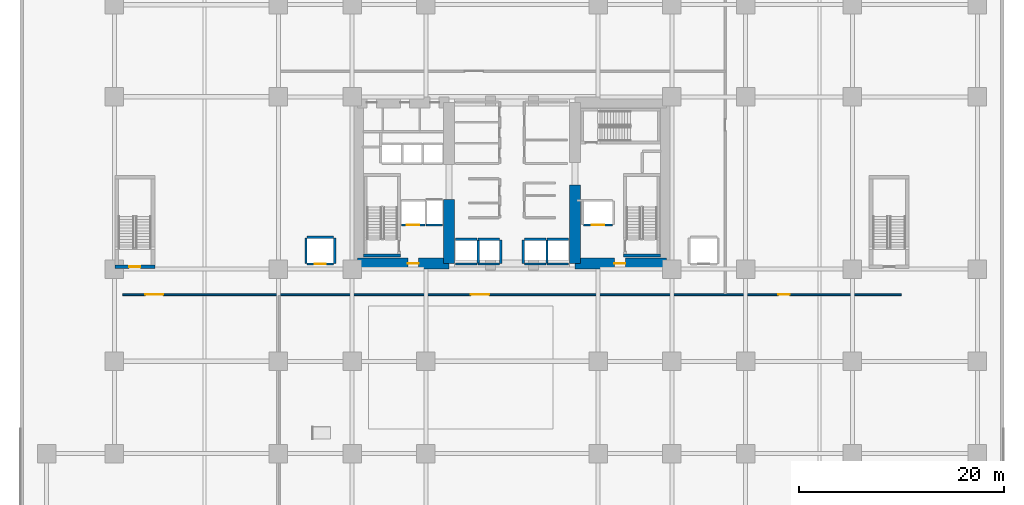
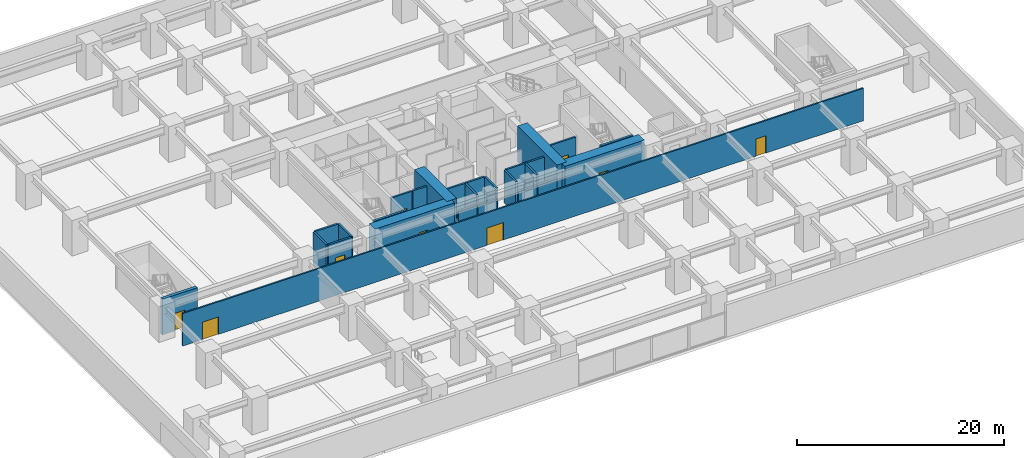
# One storey, part 10 of 22: 27 walls, 9 doors, 9 openings.
"""IFC4 building model written with IfcOpenShell, lengths in metres."""

from ifc_helpers import new_model, si_unit, direction, frame, frame_2d, origin, place, context, subcontext, project, spatial, rectangle, extrude, material, layer, layer_set, type_object, element, fill, save


model = new_model("IFC4")

# Units and contexts
model_context = context("Model", 3, precision=1e-05, world=origin(), true_north=direction((0.0, 1.0)))
body_context = subcontext(model_context, "Body", "Model", "MODEL_VIEW")
ifc_project = project(units=[si_unit("LENGTHUNIT", "METRE"), si_unit("AREAUNIT", "SQUARE_METRE"), si_unit("VOLUMEUNIT", "CUBIC_METRE"), si_unit("PLANEANGLEUNIT", "RADIAN"), si_unit("MASSUNIT", "GRAM", prefix="KILO")], contexts=[model_context])

# Site, building, storey
site_placement = place(None, origin())
site = spatial("IfcSite", under=ifc_project, at=site_placement, CompositionType="ELEMENT")
building_placement = place(site_placement, origin())
building = spatial("IfcBuilding", under=site, at=building_placement, Name="Kiyonajd Concourse Tower", CompositionType="ELEMENT")
storey_placement = place(building_placement, frame((0.0, 0.0, 12.89990234375)))
storey = spatial("IfcBuildingStorey", under=building, at=storey_placement, Name="L04", CompositionType="ELEMENT", Elevation=12.89990234375)

# Wall
ifc_material_1 = material(Name="Concrete C80/95", Category="concrete")
ifc_layer_1 = layer(ifc_material_1, 1.10009765625)
ifc_layer_set_1 = layer_set([ifc_layer_1], Name="Concrete C80/95")
wall_type_1 = type_object("IfcWallType", Name="WL-CORE-1100", PredefinedType="SHEAR", material=ifc_layer_set_1)
wall_1_placement = place(storey_placement, frame((41.85009765625, 28.14990234375, 0.0), z_axis=(0.0, 0.0, 1.0), x_axis=(0.0, 1.0, 0.0)))
element("IfcWall", 1, at=wall_1_placement, inside=storey, type_object=wall_type_1, Name="L04 West Core Inner South Shear Wall", PredefinedType="SHEAR", context=body_context, shape_type="SweptSolid", body=[
    extrude(rectangle(XDim=6.25, YDim=1.10009765625, at=frame_2d((3.125, 0.0))), origin(), (0.0, 0.0, 1.0), 4.2001953125),
])

# Wall, opening, door
wall_2_placement = place(storey_placement, frame((32.949951171875, 28.14990234375, 0.0), z_axis=(0.0, 0.0, 1.0), x_axis=(1.0, 0.0, 0.0)))
wall_2 = element("IfcWall", 2, at=wall_2_placement, inside=storey, type_object=wall_type_1, Name="L04 West Core South Shear Wall", PredefinedType="SHEAR", context=body_context, shape_type="SweptSolid", body=[
    extrude(rectangle(XDim=8.900146484375, YDim=1.10009765625, at=frame_2d((4.4501953125, 0.0))), origin(), (0.0, 0.0, 1.0), 4.2001953125),
])
opening_1_placement = place(wall_2_placement, frame((4.89990234375, 0.0, 0.0)))
opening_1 = element("IfcOpeningElement", 3, at=opening_1_placement, cuts=wall_2, Name="Opening DF5", PredefinedType="OPENING", context=body_context, shape_type="SweptSolid", body=[
    extrude(rectangle(XDim=1.050048828125, YDim=2.0400390625, at=frame_2d((0.52490234375, 1.02001953125))), frame((0.0, 0.56005859375, 0.0), z_axis=(0.0, -1.0, 0.0), x_axis=(1.0, 0.0, 0.0)), (0.0, 0.0, 1.0), 1.1201171875),
])
ifc_material_2 = material(Name="Brushed Stainless Steel Cab Assembly", Category="steel")
door_type_1 = type_object("IfcDoorType", Name="DR-FD45-1050", OperationType="NOTDEFINED", PredefinedType="DOOR", material=ifc_material_2)
door_1_placement = place(opening_1_placement, origin())
door_1 = element("IfcDoor", 4, at=door_1_placement, inside=storey, type_object=door_type_1, Name="L04 Firefighting Lift Lobby W Smoke Door", OperationType="SINGLE_SWING_LEFT", OverallHeight=2.0400390625, OverallWidth=1.050048828125, PredefinedType="DOOR", context=body_context, shape_type="SweptSolid", body=[
    extrude(rectangle(XDim=1.050048828125, YDim=2.0400390625, at=frame_2d((0.52490234375, 1.02001953125))), frame((0.0, 0.02490234375, 0.0), z_axis=(0.0, -1.0, 0.0), x_axis=(1.0, 0.0, 0.0)), (0.0, 0.0, 1.0), 0.050048828125),
])
fill(opening_1, door_1)

# Wall
wall_3_placement = place(storey_placement, frame((54.14990234375, 28.14990234375, 0.0), z_axis=(0.0, 0.0, 1.0), x_axis=(0.0, 1.0, 0.0)))
element("IfcWall", 5, at=wall_3_placement, inside=storey, type_object=wall_type_1, Name="L04 East Core Inner South Shear Wall", PredefinedType="SHEAR", context=body_context, shape_type="SweptSolid", body=[
    extrude(rectangle(XDim=7.650146484375, YDim=1.10009765625, at=frame_2d((3.8251953125, 0.0))), origin(), (0.0, 0.0, 1.0), 4.2001953125),
])

# Wall, opening, door
wall_4_placement = place(storey_placement, frame((54.14990234375, 28.14990234375, 0.0), z_axis=(0.0, 0.0, 1.0), x_axis=(1.0, 0.0, 0.0)))
wall_4 = element("IfcWall", 6, at=wall_4_placement, inside=storey, type_object=wall_type_1, Name="L04 East Core South Shear Wall", PredefinedType="SHEAR", context=body_context, shape_type="SweptSolid", body=[
    extrude(rectangle(XDim=8.900146484375, YDim=1.10009765625, at=frame_2d((4.4501953125, 0.0))), origin(), (0.0, 0.0, 1.0), 4.2001953125),
])
opening_2_placement = place(wall_4_placement, frame((3.85009765625, 0.0, 0.0)))
opening_2 = element("IfcOpeningElement", 7, at=opening_2_placement, cuts=wall_4, Name="Opening DF5", PredefinedType="OPENING", context=body_context, shape_type="SweptSolid", body=[
    extrude(rectangle(XDim=1.050048828125, YDim=2.0400390625, at=frame_2d((0.52490234375, 1.02001953125))), frame((0.0, 0.56005859375, 0.0), z_axis=(0.0, -1.0, 0.0), x_axis=(1.0, 0.0, 0.0)), (0.0, 0.0, 1.0), 1.1201171875),
])
door_2_placement = place(opening_2_placement, origin())
door_2 = element("IfcDoor", 8, at=door_2_placement, inside=storey, type_object=door_type_1, Name="L04 Firefighting Lift Lobby E Smoke Door", OperationType="SINGLE_SWING_RIGHT", OverallHeight=2.0400390625, OverallWidth=1.050048828125, PredefinedType="DOOR", context=body_context, shape_type="SweptSolid", body=[
    extrude(rectangle(XDim=1.050048828125, YDim=2.0400390625, at=frame_2d((0.52490234375, 1.02001953125))), frame((0.0, 0.02490234375, 0.0), z_axis=(0.0, -1.0, 0.0), x_axis=(1.0, 0.0, 0.0)), (0.0, 0.0, 1.0), 0.050048828125),
])
fill(opening_2, door_2)

ifc_material_3 = material(Name="Gypsum Board on Cold-Formed Steel Stud", Category="steel")
ifc_layer_2 = layer(ifc_material_3, 0.2099609375)
ifc_layer_set_2 = layer_set([ifc_layer_2], Name="Gypsum Board on Cold-Formed Steel Stud")
wall_type_2 = type_object("IfcWallType", Name="WL-SHAFT-210", PredefinedType="PARTITIONING", material=ifc_layer_set_2)
wall_5_placement = place(storey_placement, frame((37.199951171875, 31.89990234375, 0.0), z_axis=(0.0, 0.0, 1.0), x_axis=(1.0, 0.0, 0.0)))
wall_5 = element("IfcWall", 9, at=wall_5_placement, inside=storey, type_object=wall_type_2, Name="L04 Shaft Enclosure Wall", PredefinedType="PARTITIONING", context=body_context, shape_type="SweptSolid", body=[
    extrude(rectangle(XDim=2.300048828125, YDim=0.2099609375, at=frame_2d((1.14990234375, 0.0))), origin(), (0.0, 0.0, 1.0), 3.840087890625),
])
opening_3_placement = place(wall_5_placement, frame((0.550048828125, 0.0, 0.0)))
opening_3 = element("IfcOpeningElement", 10, at=opening_3_placement, cuts=wall_5, Name="Opening LD2", PredefinedType="OPENING", context=body_context, shape_type="SweptSolid", body=[
    extrude(rectangle(XDim=1.199951171875, YDim=2.0400390625, at=frame_2d((0.60009765625, 1.02001953125))), frame((0.0, 0.114990234375, 0.0), z_axis=(0.0, -1.0, 0.0), x_axis=(1.0, 0.0, 0.0)), (0.0, 0.0, 1.0), 0.22998046875),
])
door_type_2 = type_object("IfcDoorType", Name="DR-LD-1200", OperationType="DOUBLE_DOOR_SLIDING", PredefinedType="DOOR", material=ifc_material_2)
door_3_placement = place(opening_3_placement, origin())
door_3 = element("IfcDoor", 11, at=door_3_placement, inside=storey, type_object=door_type_2, Name="L04 Lift FFL1 Sliding Landing Door", OperationType="DOUBLE_DOOR_SLIDING", OverallHeight=2.0400390625, OverallWidth=1.199951171875, PredefinedType="DOOR", context=body_context, shape_type="SweptSolid", body=[
    extrude(rectangle(XDim=1.199951171875, YDim=2.0400390625, at=frame_2d((0.60009765625, 1.02001953125))), frame((0.0, 0.02490234375, 0.0), z_axis=(0.0, -1.0, 0.0), x_axis=(1.0, 0.0, 0.0)), (0.0, 0.0, 1.0), 0.050048828125),
])
fill(opening_3, door_3)

wall_6_placement = place(storey_placement, frame((55.0, 31.89990234375, 0.0), z_axis=(0.0, 0.0, 1.0), x_axis=(1.0, 0.0, 0.0)))
wall_6 = element("IfcWall", 12, at=wall_6_placement, inside=storey, type_object=wall_type_2, Name="L04 Shaft Enclosure Wall", PredefinedType="PARTITIONING", context=body_context, shape_type="SweptSolid", body=[
    extrude(rectangle(XDim=2.800048828125, YDim=0.2099609375, at=frame_2d((1.39990234375, 0.0))), origin(), (0.0, 0.0, 1.0), 3.840087890625),
])
opening_4_placement = place(wall_6_placement, frame((0.800048828125, 0.0, 0.0)))
opening_4 = element("IfcOpeningElement", 13, at=opening_4_placement, cuts=wall_6, Name="Opening LD2", PredefinedType="OPENING", context=body_context, shape_type="SweptSolid", body=[
    extrude(rectangle(XDim=1.199951171875, YDim=2.0400390625, at=frame_2d((0.60009765625, 1.02001953125))), frame((0.0, 0.114990234375, 0.0), z_axis=(0.0, -1.0, 0.0), x_axis=(1.0, 0.0, 0.0)), (0.0, 0.0, 1.0), 0.22998046875),
])
door_4_placement = place(opening_4_placement, origin())
door_4 = element("IfcDoor", 14, at=door_4_placement, inside=storey, type_object=door_type_2, Name="L04 Lift FFL2 Sliding Landing Door", OperationType="DOUBLE_DOOR_SLIDING", OverallHeight=2.0400390625, OverallWidth=1.199951171875, PredefinedType="DOOR", context=body_context, shape_type="SweptSolid", body=[
    extrude(rectangle(XDim=1.199951171875, YDim=2.0400390625, at=frame_2d((0.60009765625, 1.02001953125))), frame((0.0, 0.02490234375, 0.0), z_axis=(0.0, -1.0, 0.0), x_axis=(1.0, 0.0, 0.0)), (0.0, 0.0, 1.0), 0.050048828125),
])
fill(opening_4, door_4)

# Walls
wall_7_placement = place(storey_placement, frame((39.60009765625, 31.89990234375, 0.0), z_axis=(0.0, 0.0, 1.0), x_axis=(1.0, 0.0, 0.0)))
element("IfcWall", 15, at=wall_7_placement, inside=storey, type_object=wall_type_2, Name="L04 Shaft Enclosure Wall", PredefinedType="PARTITIONING", context=body_context, shape_type="SweptSolid", body=[
    extrude(rectangle(XDim=1.599853515625, YDim=0.2099609375, at=frame_2d((0.7998046875, 0.0))), origin(), (0.0, 0.0, 1.0), 3.840087890625),
])
wall_8_placement = place(storey_placement, frame((42.5, 30.5, 0.0), z_axis=(0.0, 0.0, 1.0), x_axis=(1.0, 0.0, 0.0)))
element("IfcWall", 16, at=wall_8_placement, inside=storey, type_object=wall_type_2, Name="L04 Shaft Enclosure Wall", PredefinedType="PARTITIONING", context=body_context, shape_type="SweptSolid", body=[
    extrude(rectangle(XDim=2.10009765625, YDim=0.2099609375, at=frame_2d((1.050048828125, 0.0))), origin(), (0.0, 0.0, 1.0), 3.840087890625),
])
wall_9_placement = place(storey_placement, frame((42.5, 28.10009765625, 0.0), z_axis=(0.0, 0.0, 1.0), x_axis=(1.0, 0.0, 0.0)))
element("IfcWall", 17, at=wall_9_placement, inside=storey, type_object=wall_type_2, Name="L04 Shaft Enclosure Wall", PredefinedType="PARTITIONING", context=body_context, shape_type="SweptSolid", body=[
    extrude(rectangle(XDim=2.10009765625, YDim=0.2099609375, at=frame_2d((1.050048828125, 0.0))), origin(), (0.0, 0.0, 1.0), 2.72509765625),
])
wall_10_placement = place(storey_placement, frame((44.699951171875, 28.159912109375, 0.0), z_axis=(0.0, 0.0, 1.0), x_axis=(0.0, 1.0, 0.0)))
element("IfcWall", 18, at=wall_10_placement, inside=storey, type_object=wall_type_2, Name="L04 Shaft Enclosure Wall", PredefinedType="PARTITIONING", context=body_context, shape_type="SweptSolid", body=[
    extrude(rectangle(XDim=2.280029296875, YDim=0.2099609375, at=frame_2d((1.14013671875, 0.0))), origin(), (0.0, 0.0, 1.0), 3.840087890625),
])
wall_11_placement = place(storey_placement, frame((44.699951171875, 30.5, 0.0), z_axis=(0.0, 0.0, 1.0), x_axis=(1.0, 0.0, 0.0)))
element("IfcWall", 19, at=wall_11_placement, inside=storey, type_object=wall_type_2, Name="L04 Shaft Enclosure Wall", PredefinedType="PARTITIONING", context=body_context, shape_type="SweptSolid", body=[
    extrude(rectangle(XDim=2.10009765625, YDim=0.2099609375, at=frame_2d((1.050048828125, 0.0))), origin(), (0.0, 0.0, 1.0), 3.840087890625),
])
wall_12_placement = place(storey_placement, frame((44.699951171875, 28.10009765625, 0.0), z_axis=(0.0, 0.0, 1.0), x_axis=(1.0, 0.0, 0.0)))
element("IfcWall", 20, at=wall_12_placement, inside=storey, type_object=wall_type_2, Name="L04 Shaft Enclosure Wall", PredefinedType="PARTITIONING", context=body_context, shape_type="SweptSolid", body=[
    extrude(rectangle(XDim=2.10009765625, YDim=0.2099609375, at=frame_2d((1.050048828125, 0.0))), origin(), (0.0, 0.0, 1.0), 2.72509765625),
])
wall_13_placement = place(storey_placement, frame((46.89990234375, 28.159912109375, 0.0), z_axis=(0.0, 0.0, 1.0), x_axis=(0.0, 1.0, 0.0)))
element("IfcWall", 21, at=wall_13_placement, inside=storey, type_object=wall_type_2, Name="L04 Shaft Enclosure Wall", PredefinedType="PARTITIONING", context=body_context, shape_type="SweptSolid", body=[
    extrude(rectangle(XDim=2.280029296875, YDim=0.2099609375, at=frame_2d((1.14013671875, 0.0))), origin(), (0.0, 0.0, 1.0), 3.840087890625),
])
wall_14_placement = place(storey_placement, frame((49.199951171875, 30.5, 0.0), z_axis=(0.0, 0.0, 1.0), x_axis=(1.0, 0.0, 0.0)))
element("IfcWall", 22, at=wall_14_placement, inside=storey, type_object=wall_type_2, Name="L04 Shaft Enclosure Wall", PredefinedType="PARTITIONING", context=body_context, shape_type="SweptSolid", body=[
    extrude(rectangle(XDim=2.10009765625, YDim=0.2099609375, at=frame_2d((1.050048828125, 0.0))), origin(), (0.0, 0.0, 1.0), 3.840087890625),
])
wall_15_placement = place(storey_placement, frame((49.199951171875, 28.10009765625, 0.0), z_axis=(0.0, 0.0, 1.0), x_axis=(1.0, 0.0, 0.0)))
element("IfcWall", 23, at=wall_15_placement, inside=storey, type_object=wall_type_2, Name="L04 Shaft Enclosure Wall", PredefinedType="PARTITIONING", context=body_context, shape_type="SweptSolid", body=[
    extrude(rectangle(XDim=2.10009765625, YDim=0.2099609375, at=frame_2d((1.050048828125, 0.0))), origin(), (0.0, 0.0, 1.0), 2.72509765625),
])
for number, where, z_axis, x_axis, name in (
    (24, (49.10009765625, 28.159912109375, 0.0), (0.0, 0.0, 1.0), (0.0, 1.0, 0.0), "L04 Shaft Enclosure Wall"),
    (25, (51.39990234375, 28.159912109375, 0.0), (0.0, 0.0, 1.0), (0.0, 1.0, 0.0), "L04 Shaft Enclosure Wall"),
):
    element("IfcWall", number, at=place(storey_placement, frame(where, z_axis=z_axis, x_axis=x_axis)), inside=storey, type_object=wall_type_2, Name=name, PredefinedType="PARTITIONING", context=body_context, shape_type="SweptSolid", body=[
        extrude(rectangle(XDim=2.280029296875, YDim=0.2099609375, at=frame_2d((1.14013671875, 0.0))), origin(), (0.0, 0.0, 1.0), 3.840087890625),
    ])
wall_16_placement = place(storey_placement, frame((51.39990234375, 30.5, 0.0), z_axis=(0.0, 0.0, 1.0), x_axis=(1.0, 0.0, 0.0)))
element("IfcWall", 26, at=wall_16_placement, inside=storey, type_object=wall_type_2, Name="L04 Shaft Enclosure Wall", PredefinedType="PARTITIONING", context=body_context, shape_type="SweptSolid", body=[
    extrude(rectangle(XDim=2.10009765625, YDim=0.2099609375, at=frame_2d((1.050048828125, 0.0))), origin(), (0.0, 0.0, 1.0), 3.840087890625),
])
wall_17_placement = place(storey_placement, frame((51.39990234375, 28.10009765625, 0.0), z_axis=(0.0, 0.0, 1.0), x_axis=(1.0, 0.0, 0.0)))
element("IfcWall", 27, at=wall_17_placement, inside=storey, type_object=wall_type_2, Name="L04 Shaft Enclosure Wall", PredefinedType="PARTITIONING", context=body_context, shape_type="SweptSolid", body=[
    extrude(rectangle(XDim=2.10009765625, YDim=0.2099609375, at=frame_2d((1.050048828125, 0.0))), origin(), (0.0, 0.0, 1.0), 2.72509765625),
])

# Wall, opening, door
wall_18_placement = place(storey_placement, frame((28.0, 28.10009765625, 0.0), z_axis=(0.0, 0.0, 1.0), x_axis=(1.0, 0.0, 0.0)))
wall_18 = element("IfcWall", 28, at=wall_18_placement, inside=storey, type_object=wall_type_2, Name="L04 Shaft Enclosure Wall", PredefinedType="PARTITIONING", context=body_context, shape_type="SweptSolid", body=[
    extrude(rectangle(XDim=2.60009765625, YDim=0.2099609375, at=frame_2d((1.300048828125, 0.0))), origin(), (0.0, 0.0, 1.0), 3.840087890625),
])
opening_5_placement = place(wall_18_placement, frame((0.75, 0.0, 0.0)))
opening_5 = element("IfcOpeningElement", 29, at=opening_5_placement, cuts=wall_18, Name="Opening LD1", PredefinedType="OPENING", context=body_context, shape_type="SweptSolid", body=[
    extrude(rectangle(XDim=1.10009765625, YDim=2.0400390625, at=frame_2d((0.550048828125, 1.02001953125))), frame((0.0, 0.114990234375, 0.0), z_axis=(0.0, -1.0, 0.0), x_axis=(1.0, 0.0, 0.0)), (0.0, 0.0, 1.0), 0.22998046875),
])
door_type_3 = type_object("IfcDoorType", Name="DR-LD-1100", OperationType="DOUBLE_DOOR_SLIDING", PredefinedType="DOOR", material=ifc_material_2)
door_5_placement = place(opening_5_placement, origin())
door_5 = element("IfcDoor", 30, at=door_5_placement, inside=storey, type_object=door_type_3, Name="L04 Lift PD1 Sliding Landing Door", OperationType="DOUBLE_DOOR_SLIDING", OverallHeight=2.0400390625, OverallWidth=1.10009765625, PredefinedType="DOOR", context=body_context, shape_type="SweptSolid", body=[
    extrude(rectangle(XDim=1.10009765625, YDim=2.0400390625, at=frame_2d((0.550048828125, 1.02001953125))), frame((0.0, 0.02490234375, 0.0), z_axis=(0.0, -1.0, 0.0), x_axis=(1.0, 0.0, 0.0)), (0.0, 0.0, 1.0), 0.050048828125),
])
fill(opening_5, door_5)

# Walls
wall_19_placement = place(storey_placement, frame((28.0, 30.699951171875, 0.0), z_axis=(0.0, 0.0, 1.0), x_axis=(1.0, 0.0, 0.0)))
element("IfcWall", 31, at=wall_19_placement, inside=storey, type_object=wall_type_2, Name="L04 Shaft Enclosure Wall", PredefinedType="PARTITIONING", context=body_context, shape_type="SweptSolid", body=[
    extrude(rectangle(XDim=2.60009765625, YDim=0.2099609375, at=frame_2d((1.300048828125, 0.0))), origin(), (0.0, 0.0, 1.0), 3.840087890625),
])
for number, where, z_axis, x_axis, name in (
    (32, (27.89990234375, 28.159912109375, 0.0), (0.0, 0.0, 1.0), (0.0, 1.0, 0.0), "L04 Shaft Enclosure Wall"),
    (33, (30.699951171875, 28.159912109375, 0.0), (0.0, 0.0, 1.0), (0.0, 1.0, 0.0), "L04 Shaft Enclosure Wall"),
):
    element("IfcWall", number, at=place(storey_placement, frame(where, z_axis=z_axis, x_axis=x_axis)), inside=storey, type_object=wall_type_2, Name=name, PredefinedType="PARTITIONING", context=body_context, shape_type="SweptSolid", body=[
        extrude(rectangle(XDim=2.47998046875, YDim=0.2099609375, at=frame_2d((1.239990234375, 0.0))), origin(), (0.0, 0.0, 1.0), 3.840087890625),
    ])

# Wall, openings, doors
ifc_layer_3 = layer(ifc_material_3, 0.169921875)
ifc_layer_set_3 = layer_set([ifc_layer_3], Name="Gypsum Board on Cold-Formed Steel Stud")
wall_type_3 = type_object("IfcWallType", Name="WL-SMK-170", PredefinedType="PARTITIONING", material=ifc_layer_set_3)
wall_20_placement = place(storey_placement, frame((10.0, 25.10009765625, 0.0), z_axis=(0.0, 0.0, 1.0), x_axis=(1.0, 0.0, 0.0)))
wall_20 = element("IfcWall", 34, at=wall_20_placement, inside=storey, type_object=wall_type_3, Name="L04 Interior Partition Wall", PredefinedType="PARTITIONING", context=body_context, shape_type="SweptSolid", body=[
    extrude(rectangle(XDim=76.0, YDim=0.169921875, at=frame_2d((38.0, 0.0))), origin(), (0.0, 0.0, 1.0), 3.840087890625),
])
opening_6_placement = place(wall_20_placement, frame((2.199951171875, 0.0, 0.0)))
opening_6 = element("IfcOpeningElement", 35, at=opening_6_placement, cuts=wall_20, Name="Opening DI3", PredefinedType="OPENING", context=body_context, shape_type="SweptSolid", body=[
    extrude(rectangle(XDim=1.800048828125, YDim=2.06005859375, at=frame_2d((0.89990234375, 1.030029296875))), frame((0.0, 0.094970703125, 0.0), z_axis=(0.0, -1.0, 0.0), x_axis=(1.0, 0.0, 0.0)), (0.0, 0.0, 1.0), 0.18994140625),
])
opening_7_placement = place(wall_20_placement, frame((34.0, 0.0, 0.0)))
opening_7 = element("IfcOpeningElement", 36, at=opening_7_placement, cuts=wall_20, Name="Opening DI3", PredefinedType="OPENING", context=body_context, shape_type="SweptSolid", body=[
    extrude(rectangle(XDim=1.800048828125, YDim=2.06005859375, at=frame_2d((0.89990234375, 1.030029296875))), frame((0.0, 0.094970703125, 0.0), z_axis=(0.0, -1.0, 0.0), x_axis=(1.0, 0.0, 0.0)), (0.0, 0.0, 1.0), 0.18994140625),
])
opening_8_placement = place(wall_20_placement, frame((64.0, 0.0, 0.0)))
opening_8 = element("IfcOpeningElement", 37, at=opening_8_placement, cuts=wall_20, Name="Opening DF2", PredefinedType="OPENING", context=body_context, shape_type="SweptSolid", body=[
    extrude(rectangle(XDim=1.10009765625, YDim=2.050048828125, at=frame_2d((0.550048828125, 1.02490234375))), frame((0.0, 0.094970703125, 0.0), z_axis=(0.0, -1.0, 0.0), x_axis=(1.0, 0.0, 0.0)), (0.0, 0.0, 1.0), 0.18994140625),
])
door_type_4 = type_object("IfcDoorType", Name="DR-FD90-1100", OperationType="NOTDEFINED", PredefinedType="DOOR", material=ifc_material_2)
door_6_placement = place(opening_8_placement, origin())
door_6 = element("IfcDoor", 38, at=door_6_placement, inside=storey, type_object=door_type_4, Name="L04 Interior Door", OperationType="SINGLE_SWING_LEFT", OverallHeight=2.050048828125, OverallWidth=1.10009765625, PredefinedType="DOOR", context=body_context, shape_type="SweptSolid", body=[
    extrude(rectangle(XDim=1.10009765625, YDim=2.050048828125, at=frame_2d((0.550048828125, 1.02490234375))), frame((0.0, 0.02490234375, 0.0), z_axis=(0.0, -1.0, 0.0), x_axis=(1.0, 0.0, 0.0)), (0.0, 0.0, 1.0), 0.050048828125),
])
fill(opening_8, door_6)
door_type_5 = type_object("IfcDoorType", Name="DR-PAIR-1800", OperationType="DOUBLE_DOOR_SINGLE_SWING", PredefinedType="DOOR", material=ifc_material_2)
door_7_placement = place(opening_6_placement, origin())
door_7 = element("IfcDoor", 39, at=door_7_placement, inside=storey, type_object=door_type_5, Name="L04 Interior Door", OperationType="DOUBLE_DOOR_SINGLE_SWING", OverallHeight=2.06005859375, OverallWidth=1.800048828125, PredefinedType="DOOR", context=body_context, shape_type="SweptSolid", body=[
    extrude(rectangle(XDim=1.800048828125, YDim=2.06005859375, at=frame_2d((0.89990234375, 1.030029296875))), frame((0.0, 0.02490234375, 0.0), z_axis=(0.0, -1.0, 0.0), x_axis=(1.0, 0.0, 0.0)), (0.0, 0.0, 1.0), 0.050048828125),
])
fill(opening_6, door_7)
door_8_placement = place(opening_7_placement, origin())
door_8 = element("IfcDoor", 40, at=door_8_placement, inside=storey, type_object=door_type_5, Name="L04 Interior Door", OperationType="DOUBLE_DOOR_SINGLE_SWING", OverallHeight=2.06005859375, OverallWidth=1.800048828125, PredefinedType="DOOR", context=body_context, shape_type="SweptSolid", body=[
    extrude(rectangle(XDim=1.800048828125, YDim=2.06005859375, at=frame_2d((0.89990234375, 1.030029296875))), frame((0.0, 0.02490234375, 0.0), z_axis=(0.0, -1.0, 0.0), x_axis=(1.0, 0.0, 0.0)), (0.0, 0.0, 1.0), 0.050048828125),
])
fill(opening_7, door_8)

# Walls
ifc_material_4 = material(Name="Concrete C50/60", Category="concrete")
ifc_layer_4 = layer(ifc_material_4, 0.260009765625)
ifc_layer_set_4 = layer_set([ifc_layer_4], Name="Concrete C50/60")
wall_type_4 = type_object("IfcWallType", Name="WL-STAIR-260", PredefinedType="SHEAR", material=ifc_layer_set_4)
for number, where, z_axis, x_axis, name in (
    (41, (33.5, 28.919921875, 0.0), (0.0, 0.0, 1.0), (1.0, 0.0, 0.0), "L04 Stair ST1 Structural South Wall"),
    (42, (58.889892578125, 28.919921875, 0.0), (0.0, 0.0, 1.0), (1.0, 0.0, 0.0), "L04 Stair ST2 Structural South Wall"),
):
    element("IfcWall", number, at=place(storey_placement, frame(where, z_axis=z_axis, x_axis=x_axis)), inside=storey, type_object=wall_type_4, Name=name, PredefinedType="SHEAR", context=body_context, shape_type="SweptSolid", body=[
        extrude(rectangle(XDim=3.610107421875, YDim=0.260009765625, at=frame_2d((1.80517578125, 0.0))), origin(), (0.0, 0.0, 1.0), 4.2001953125),
    ])

# Wall, opening, door
ifc_layer_5 = layer(ifc_material_4, 0.35009765625)
ifc_layer_set_5 = layer_set([ifc_layer_5], Name="Concrete C50/60")
wall_type_5 = type_object("IfcWallType", Name="WL-STAIR-350", PredefinedType="SHEAR", material=ifc_layer_set_5)
wall_21_placement = place(storey_placement, frame((9.25, 27.824951171875, 0.0), z_axis=(0.0, 0.0, 1.0), x_axis=(1.0, 0.0, 0.0)))
wall_21 = element("IfcWall", 43, at=wall_21_placement, inside=storey, type_object=wall_type_5, Name="L04 Stair ST4 Structural South Wall", PredefinedType="SHEAR", context=body_context, shape_type="SweptSolid", body=[
    extrude(rectangle(XDim=3.89990234375, YDim=0.35009765625, at=frame_2d((1.949951171875, 0.0))), origin(), (0.0, 0.0, 1.0), 4.2001953125),
])
opening_9_placement = place(wall_21_placement, frame((1.39990234375, 0.0, 0.0)))
opening_9 = element("IfcOpeningElement", 44, at=opening_9_placement, cuts=wall_21, Name="Opening DF2", PredefinedType="OPENING", context=body_context, shape_type="SweptSolid", body=[
    extrude(rectangle(XDim=1.10009765625, YDim=2.050048828125, at=frame_2d((0.550048828125, 1.02490234375))), frame((0.0, 0.18505859375, 0.0), z_axis=(0.0, -1.0, 0.0), x_axis=(1.0, 0.0, 0.0)), (0.0, 0.0, 1.0), 0.3701171875),
])
door_9_placement = place(opening_9_placement, origin())
door_9 = element("IfcDoor", 45, at=door_9_placement, inside=storey, type_object=door_type_4, Name="L04 Stair ST4 Fire Door", OperationType="SINGLE_SWING_LEFT", OverallHeight=2.050048828125, OverallWidth=1.10009765625, PredefinedType="DOOR", context=body_context, shape_type="SweptSolid", body=[
    extrude(rectangle(XDim=1.10009765625, YDim=2.050048828125, at=frame_2d((0.550048828125, 1.02490234375))), frame((0.0, 0.02490234375, 0.0), z_axis=(0.0, -1.0, 0.0), x_axis=(1.0, 0.0, 0.0)), (0.0, 0.0, 1.0), 0.050048828125),
])
fill(opening_9, door_9)

save(model, "model.ifc")
